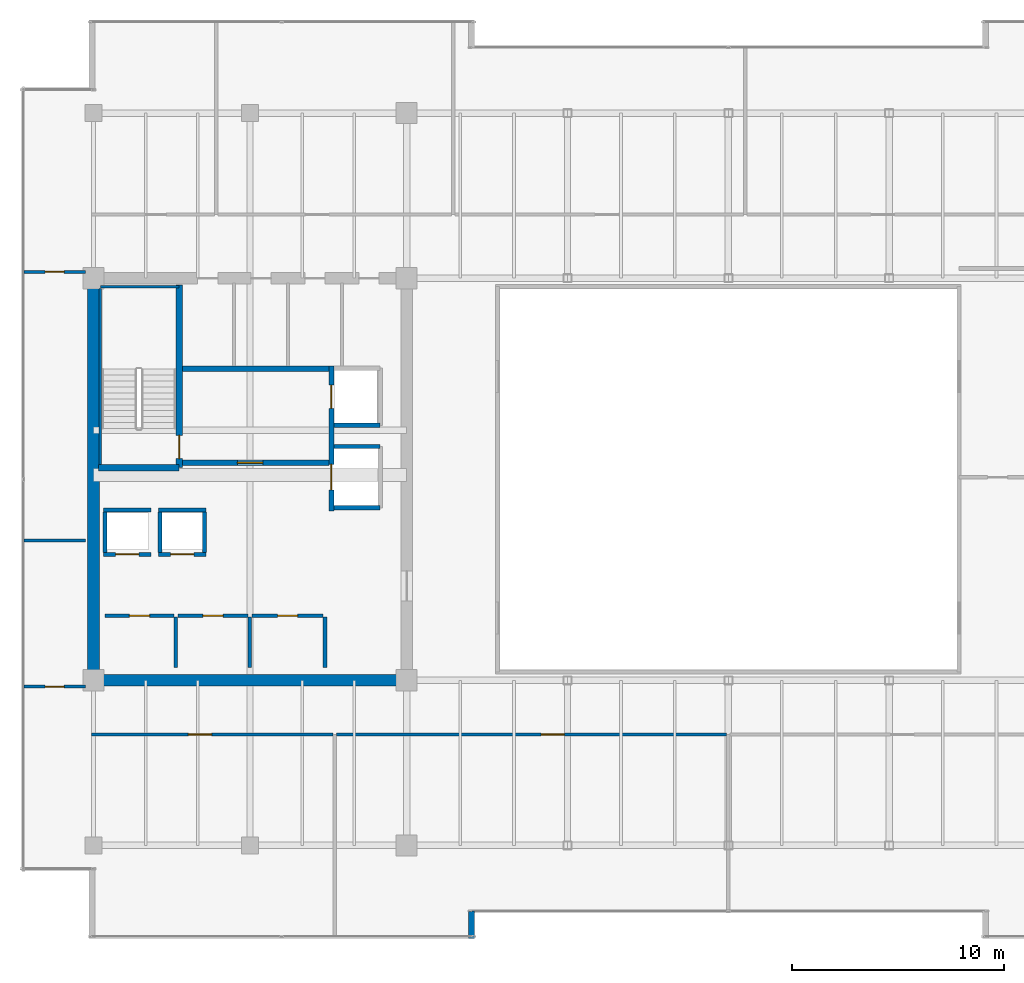
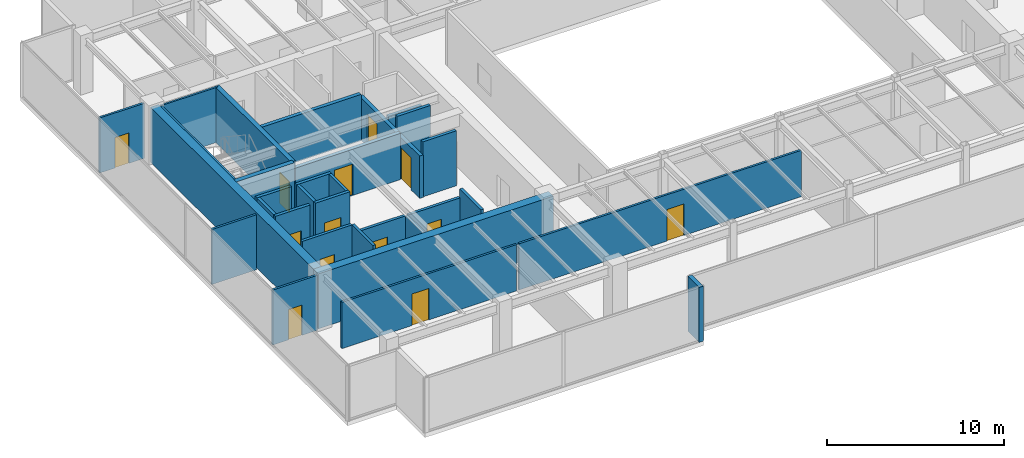
# One storey, part 28 of 33: 31 walls, 13 doors, 13 openings.
"""IFC4 building model written with IfcOpenShell, lengths in metres."""

from ifc_helpers import new_model, si_unit, direction, frame, frame_2d, origin, place, context, subcontext, project, spatial, rectangle, extrude, source, transform, mapped, material, layer, layer_set, type_object, type_shapes, element, fill, save


model = new_model("IFC4")

# Units and contexts
model_context = context("Model", 3, precision=1e-05, world=origin(), true_north=direction((0.0, 1.0)))
body_context = subcontext(model_context, "Body", "Model", "MODEL_VIEW")
ifc_project = project(units=[si_unit("LENGTHUNIT", "METRE"), si_unit("AREAUNIT", "SQUARE_METRE"), si_unit("VOLUMEUNIT", "CUBIC_METRE"), si_unit("PLANEANGLEUNIT", "RADIAN"), si_unit("MASSUNIT", "GRAM", prefix="KILO")], contexts=[model_context])

# Site, building, storey
site_placement = place(None, origin())
site = spatial("IfcSite", under=ifc_project, at=site_placement, CompositionType="ELEMENT")
building_placement = place(site_placement, origin())
building = spatial("IfcBuilding", under=site, at=building_placement, Name="Haelvirn Gate Laboratories", CompositionType="ELEMENT")
storey_placement = place(building_placement, frame((0.0, 0.0, 258.800048828125)))
storey = spatial("IfcBuildingStorey", under=building, at=storey_placement, Name="L62", CompositionType="ELEMENT", Elevation=258.800048828125)

# Wall
ifc_material_1 = material(Name="Thermally-broken bronze aluminium rainscreen & mineral wool", Category="aluminium")
ifc_layer_1 = layer(ifc_material_1, 0.280029296875, Name="EW-TERR-280")
ifc_layer_set_1 = layer_set([ifc_layer_1], Name="Thermally-broken bronze aluminium rainscreen & mineral wool")
wall_type_1 = type_object("IfcWallType", Name="EW-TERR-280", PredefinedType="STANDARD", material=ifc_layer_set_1)
wall_1_placement = place(storey_placement, frame((25.260009765625, 2.60009765625, 0.0), z_axis=(0.0, 0.0, 1.0), x_axis=(0.0, 1.0, 0.0)))
element("IfcWall", 1, at=wall_1_placement, inside=storey, type_object=wall_type_1, Name="L62 Atrium Recess Bronze Return Wall 01", PredefinedType="STANDARD", context=body_context, shape_type="SweptSolid", body=[
    extrude(rectangle(XDim=1.29296875, YDim=0.280029296875, at=frame_2d((0.646484375, 0.0))), origin(), (0.0, 0.0, 1.0), 3.800048828125),
])

# Wall, opening, door
ifc_material_2 = material(Name="Acoustic mineral-wool gypsum board partition", Category="gypsum")
ifc_layer_2 = layer(ifc_material_2, 0.139892578125, Name="IW-PART-140")
ifc_layer_set_2 = layer_set([ifc_layer_2], Name="Acoustic mineral-wool gypsum board partition")
wall_type_2 = type_object("IfcWallType", Name="IW-PART-140", PredefinedType="PARTITIONING", material=ifc_layer_set_2)
wall_2_placement = place(storey_placement, frame((7.31005859375, 12.239990234375, 0.0), z_axis=(0.0, 0.0, 1.0), x_axis=(1.0, 0.0, 0.0)))
wall_2 = element("IfcWall", 2, at=wall_2_placement, inside=storey, type_object=wall_type_2, Name="L62 Interior Wall IW-L62-SCORR-01", PredefinedType="PARTITIONING", context=body_context, shape_type="SweptSolid", body=[
    extrude(rectangle(XDim=11.409912109375, YDim=0.139892578125, at=frame_2d((5.705078125, 0.0))), origin(), (0.0, 0.0, 1.0), 3.197021484375),
])
opening_1_placement = place(wall_2_placement, frame((4.578369140625, 0.0, 0.0)))
opening_1 = element("IfcOpeningElement", 3, at=opening_1_placement, cuts=wall_2, Name="Opening D1", PredefinedType="OPENING", context=body_context, shape_type="SweptSolid", body=[
    extrude(rectangle(XDim=1.10009765625, YDim=2.179931640625, at=frame_2d((0.550048828125, 1.08984375))), frame((0.0, 0.080078125, 0.0), z_axis=(0.0, -1.0, 0.0), x_axis=(1.0, 0.0, 0.0)), (0.0, 0.0, 1.0), 0.159912109375),
])
ifc_material_3 = material(Name="Vision-panel acoustic solid-core timber lab door", Category="wood")
door_type_1 = type_object("IfcDoorType", Name="DR-LAB-1100", OperationType="NOTDEFINED", PredefinedType="DOOR", material=ifc_material_3)
shared_shape_1 = source(origin(), body_context, "Body", "SweptSolid", [
    extrude(rectangle(XDim=1.10009765625, YDim=2.179931640625, at=frame_2d((0.550048828125, 1.08984375))), frame((0.0, 0.02490234375, 0.0), z_axis=(0.0, -1.0, 0.0), x_axis=(1.0, 0.0, 0.0)), (0.0, 0.0, 1.0), 0.050048828125),
])
type_shapes(door_type_1, [shared_shape_1])
door_1_placement = place(opening_1_placement, origin())
door_1 = element("IfcDoor", 4, at=door_1_placement, inside=storey, type_object=door_type_1, Name="L62 Instrumentation Prototyping Workshop Door S1", OperationType="SINGLE_SWING_LEFT", OverallHeight=2.179931640625, OverallWidth=1.10009765625, PredefinedType="DOOR", context=body_context, shape_type="MappedRepresentation", body=[
    mapped(shared_shape_1, transform((0.0, 0.0, 0.0), scale=1.0)),
])
fill(opening_1, door_1)

wall_3_placement = place(storey_placement, frame((18.8798828125, 12.239990234375, 0.0), z_axis=(0.0, 0.0, 1.0), x_axis=(1.0, 0.0, 0.0)))
wall_3 = element("IfcWall", 5, at=wall_3_placement, inside=storey, type_object=wall_type_2, Name="L62 Interior Wall IW-L62-SCORR-02", PredefinedType="PARTITIONING", context=body_context, shape_type="SweptSolid", body=[
    extrude(rectangle(XDim=18.440185546875, YDim=0.139892578125, at=frame_2d((9.22021484375, 0.0))), origin(), (0.0, 0.0, 1.0), 3.197021484375),
])
opening_2_placement = place(wall_3_placement, frame((9.66845703125, 0.0, 0.0)))
opening_2 = element("IfcOpeningElement", 6, at=opening_2_placement, cuts=wall_3, Name="Opening D1", PredefinedType="OPENING", context=body_context, shape_type="SweptSolid", body=[
    extrude(rectangle(XDim=1.10009765625, YDim=2.179931640625, at=frame_2d((0.550048828125, 1.08984375))), frame((0.0, 0.080078125, 0.0), z_axis=(0.0, -1.0, 0.0), x_axis=(1.0, 0.0, 0.0)), (0.0, 0.0, 1.0), 0.159912109375),
])
door_2_placement = place(opening_2_placement, origin())
door_2 = element("IfcDoor", 7, at=door_2_placement, inside=storey, type_object=door_type_1, Name="L62 Scientific Reference Library Door S2", OperationType="SINGLE_SWING_RIGHT", OverallHeight=2.179931640625, OverallWidth=1.10009765625, PredefinedType="DOOR", context=body_context, shape_type="MappedRepresentation", body=[
    mapped(shared_shape_1, transform((0.0, 0.0, 0.0), scale=1.0)),
])
fill(opening_2, door_2)

# Wall
wall_4_placement = place(storey_placement, frame((4.110107421875, 21.39990234375, 0.0), z_axis=(0.0, 0.0, 1.0), x_axis=(1.0, 0.0, 0.0)))
element("IfcWall", 8, at=wall_4_placement, inside=storey, type_object=wall_type_2, Name="L62 Interior Wall IW-L62-WZ3-MID", PredefinedType="PARTITIONING", context=body_context, shape_type="SweptSolid", body=[
    extrude(rectangle(XDim=2.909912109375, YDim=0.139892578125, at=frame_2d((1.455078125, 0.0))), origin(), (0.0, 0.0, 1.0), 3.800048828125),
])

# Wall, opening, door
wall_5_placement = place(storey_placement, frame((4.110107421875, 14.5048828125, 0.0), z_axis=(0.0, 0.0, 1.0), x_axis=(1.0, 0.0, 0.0)))
wall_5 = element("IfcWall", 9, at=wall_5_placement, inside=storey, type_object=wall_type_2, Name="L62 Interior Wall IW-L62-WZ3-ENT-S", PredefinedType="PARTITIONING", context=body_context, shape_type="SweptSolid", body=[
    extrude(rectangle(XDim=2.909912109375, YDim=0.139892578125, at=frame_2d((1.455078125, 0.0))), origin(), (0.0, 0.0, 1.0), 3.800048828125),
])
opening_3_placement = place(wall_5_placement, frame((1.0048828125, 0.0, 0.0)))
opening_3 = element("IfcOpeningElement", 10, at=opening_3_placement, cuts=wall_5, Name="Opening D4", PredefinedType="OPENING", context=body_context, shape_type="SweptSolid", body=[
    extrude(rectangle(XDim=0.89990234375, YDim=2.10009765625, at=frame_2d((0.449951171875, 1.050048828125))), frame((0.0, 0.080078125, 0.0), z_axis=(0.0, -1.0, 0.0), x_axis=(1.0, 0.0, 0.0)), (0.0, 0.0, 1.0), 0.159912109375),
])
ifc_material_4 = material(Name="Glazed aluminium-framed write-up door", Category="aluminium")
door_type_2 = type_object("IfcDoorType", Name="DR-OFF-900", OperationType="NOTDEFINED", PredefinedType="DOOR", material=ifc_material_4)
shared_shape_2 = source(origin(), body_context, "Body", "SweptSolid", [
    extrude(rectangle(XDim=0.89990234375, YDim=2.10009765625, at=frame_2d((0.449951171875, 1.050048828125))), frame((0.0, 0.02490234375, 0.0), z_axis=(0.0, -1.0, 0.0), x_axis=(1.0, 0.0, 0.0)), (0.0, 0.0, 1.0), 0.050048828125),
])
type_shapes(door_type_2, [shared_shape_2])
door_3_placement = place(opening_3_placement, origin())
door_3 = element("IfcDoor", 11, at=door_3_placement, inside=storey, type_object=door_type_2, Name="L62 Floor Hydration & Tea Servery Door W-S", OperationType="SINGLE_SWING_LEFT", OverallHeight=2.10009765625, OverallWidth=0.89990234375, PredefinedType="DOOR", context=body_context, shape_type="MappedRepresentation", body=[
    mapped(shared_shape_2, transform((0.0, 0.0, 0.0), scale=1.0)),
])
fill(opening_3, door_3)

wall_6_placement = place(storey_placement, frame((4.110107421875, 34.094970703125, 0.0), z_axis=(0.0, 0.0, 1.0), x_axis=(1.0, 0.0, 0.0)))
wall_6 = element("IfcWall", 12, at=wall_6_placement, inside=storey, type_object=wall_type_2, Name="L62 Interior Wall IW-L62-WZ3-ENT-N", PredefinedType="PARTITIONING", context=body_context, shape_type="SweptSolid", body=[
    extrude(rectangle(XDim=2.909912109375, YDim=0.139892578125, at=frame_2d((1.455078125, 0.0))), origin(), (0.0, 0.0, 1.0), 3.800048828125),
])
opening_4_placement = place(wall_6_placement, frame((1.0048828125, 0.0, 0.0)))
opening_4 = element("IfcOpeningElement", 13, at=opening_4_placement, cuts=wall_6, Name="Opening D4", PredefinedType="OPENING", context=body_context, shape_type="SweptSolid", body=[
    extrude(rectangle(XDim=0.89990234375, YDim=2.10009765625, at=frame_2d((0.449951171875, 1.050048828125))), frame((0.0, 0.080078125, 0.0), z_axis=(0.0, -1.0, 0.0), x_axis=(1.0, 0.0, 0.0)), (0.0, 0.0, 1.0), 0.159912109375),
])
door_4_placement = place(opening_4_placement, origin())
door_4 = element("IfcDoor", 14, at=door_4_placement, inside=storey, type_object=door_type_2, Name="L62 Bioprocess Foundry Laboratory Door W-N", OperationType="SINGLE_SWING_RIGHT", OverallHeight=2.10009765625, OverallWidth=0.89990234375, PredefinedType="DOOR", context=body_context, shape_type="MappedRepresentation", body=[
    mapped(shared_shape_2, transform((0.0, 0.0, 0.0), scale=1.0)),
])
fill(opening_4, door_4)

# Walls
ifc_material_5 = material(Name="Concrete C40/50", Category="concrete")
ifc_layer_3 = layer(ifc_material_5, 0.179931640625, Name="IW-SHAFT-180")
ifc_layer_set_3 = layer_set([ifc_layer_3], Name="Concrete C40/50")
wall_type_3 = type_object("IfcWallType", Name="IW-SHAFT-180", PredefinedType="SOLIDWALL", material=ifc_layer_set_3)
for number, where, z_axis, x_axis, name in (
    (15, (7.949951171875, 20.85009765625, 0.0), (0.0, 0.0, 1.0), (0.0, 1.0, 0.0), "L62 Interior Wall IW-L62-PL9-SD"),
    (16, (10.550048828125, 20.85009765625, 0.0), (0.0, 0.0, 1.0), (0.0, 1.0, 0.0), "L62 Interior Wall IW-L62-PL10-SD"),
    (17, (12.64990234375, 20.85009765625, 0.0), (0.0, 0.0, 1.0), (0.0, 1.0, 0.0), "L62 Interior Wall IW-L62-PL10-SDE"),
):
    element("IfcWall", number, at=place(storey_placement, frame(where, z_axis=z_axis, x_axis=x_axis)), inside=storey, type_object=wall_type_3, Name=name, PredefinedType="SOLIDWALL", context=body_context, shape_type="SweptSolid", body=[
        extrude(rectangle(XDim=1.89990234375, YDim=0.179931640625, at=frame_2d((0.949951171875, 0.0))), origin(), (0.0, 0.0, 1.0), 3.800048828125),
    ])

# Wall, opening, door
wall_7_placement = place(storey_placement, frame((7.949951171875, 17.85009765625, 0.0), z_axis=(0.0, 0.0, 1.0), x_axis=(1.0, 0.0, 0.0)))
wall_7 = element("IfcWall", 18, at=wall_7_placement, inside=storey, type_object=wall_type_3, Name="L62 Interior Wall IW-L62-W-FREED-HN-1", PredefinedType="SOLIDWALL", context=body_context, shape_type="SweptSolid", body=[
    extrude(rectangle(XDim=3.25, YDim=0.179931640625, at=frame_2d((1.625, 0.0))), origin(), (0.0, 0.0, 1.0), 3.800048828125),
])
opening_5_placement = place(wall_7_placement, frame((1.14990234375, 0.0, 0.0)))
opening_5 = element("IfcOpeningElement", 19, at=opening_5_placement, cuts=wall_7, Name="Opening FD4", PredefinedType="OPENING", context=body_context, shape_type="SweptSolid", body=[
    extrude(rectangle(XDim=0.949951171875, YDim=2.14990234375, at=frame_2d((0.47509765625, 1.074951171875))), frame((0.0, 0.10009765625, 0.0), z_axis=(0.0, -1.0, 0.0), x_axis=(1.0, 0.0, 0.0)), (0.0, 0.0, 1.0), 0.199951171875),
])
ifc_material_6 = material(Name="Fire-rated steel SM355 core service door", Category="steel")
door_type_3 = type_object("IfcDoorType", Name="DR-FD-950", OperationType="NOTDEFINED", PredefinedType="DOOR", material=ifc_material_6)
shared_shape_3 = source(origin(), body_context, "Body", "SweptSolid", [
    extrude(rectangle(XDim=0.949951171875, YDim=2.14990234375, at=frame_2d((0.47509765625, 1.074951171875))), frame((0.0, 0.02490234375, 0.0), z_axis=(0.0, -1.0, 0.0), x_axis=(1.0, 0.0, 0.0)), (0.0, 0.0, 1.0), 0.050048828125),
])
type_shapes(door_type_3, [shared_shape_3])
door_5_placement = place(opening_5_placement, origin())
door_5 = element("IfcDoor", 20, at=door_5_placement, inside=storey, type_object=door_type_3, Name="L62 Autoclave Bio-Prep Room Door", OperationType="SINGLE_SWING_LEFT", OverallHeight=2.14990234375, OverallWidth=0.949951171875, PredefinedType="DOOR", context=body_context, shape_type="MappedRepresentation", body=[
    mapped(shared_shape_3, transform((0.0, 0.0, 0.0), scale=1.0)),
])
fill(opening_5, door_5)

# Wall
wall_8_placement = place(storey_placement, frame((11.2900390625, 15.39990234375, 0.0), z_axis=(0.0, 0.0, 1.0), x_axis=(0.0, 1.0, 0.0)))
element("IfcWall", 21, at=wall_8_placement, inside=storey, type_object=wall_type_3, Name="L62 Interior Wall IW-L62-W-FREED-HE-1", PredefinedType="SOLIDWALL", context=body_context, shape_type="SweptSolid", body=[
    extrude(rectangle(XDim=2.400146484375, YDim=0.179931640625, at=frame_2d((1.2001953125, 0.0))), origin(), (0.0, 0.0, 1.0), 3.800048828125),
])

# Wall, opening, door
wall_9_placement = place(storey_placement, frame((11.39990234375, 17.85009765625, 0.0), z_axis=(0.0, 0.0, 1.0), x_axis=(1.0, 0.0, 0.0)))
wall_9 = element("IfcWall", 22, at=wall_9_placement, inside=storey, type_object=wall_type_3, Name="L62 Interior Wall IW-L62-W-FREED-HN-2", PredefinedType="SOLIDWALL", context=body_context, shape_type="SweptSolid", body=[
    extrude(rectangle(XDim=3.300048828125, YDim=0.179931640625, at=frame_2d((1.64990234375, 0.0))), origin(), (0.0, 0.0, 1.0), 3.197021484375),
])
opening_6_placement = place(wall_9_placement, frame((1.175048828125, 0.0, 0.0)))
opening_6 = element("IfcOpeningElement", 23, at=opening_6_placement, cuts=wall_9, Name="Opening FD4", PredefinedType="OPENING", context=body_context, shape_type="SweptSolid", body=[
    extrude(rectangle(XDim=0.949951171875, YDim=2.14990234375, at=frame_2d((0.47509765625, 1.074951171875))), frame((0.0, 0.10009765625, 0.0), z_axis=(0.0, -1.0, 0.0), x_axis=(1.0, 0.0, 0.0)), (0.0, 0.0, 1.0), 0.199951171875),
])
door_6_placement = place(opening_6_placement, origin())
door_6 = element("IfcDoor", 24, at=door_6_placement, inside=storey, type_object=door_type_3, Name="L62 Telemetry Analytics Room Door", OperationType="SINGLE_SWING_RIGHT", OverallHeight=2.14990234375, OverallWidth=0.949951171875, PredefinedType="DOOR", context=body_context, shape_type="MappedRepresentation", body=[
    mapped(shared_shape_3, transform((0.0, 0.0, 0.0), scale=1.0)),
])
fill(opening_6, door_6)

# Wall
wall_10_placement = place(storey_placement, frame((14.7900390625, 15.39990234375, 0.0), z_axis=(0.0, 0.0, 1.0), x_axis=(0.0, 1.0, 0.0)))
element("IfcWall", 25, at=wall_10_placement, inside=storey, type_object=wall_type_3, Name="L62 Interior Wall IW-L62-W-FREED-HE-2", PredefinedType="SOLIDWALL", context=body_context, shape_type="SweptSolid", body=[
    extrude(rectangle(XDim=2.400146484375, YDim=0.179931640625, at=frame_2d((1.2001953125, 0.0))), origin(), (0.0, 0.0, 1.0), 3.197021484375),
])

# Wall, opening, door
wall_11_placement = place(storey_placement, frame((14.89990234375, 17.85009765625, 0.0), z_axis=(0.0, 0.0, 1.0), x_axis=(1.0, 0.0, 0.0)))
wall_11 = element("IfcWall", 26, at=wall_11_placement, inside=storey, type_object=wall_type_3, Name="L62 Interior Wall IW-L62-W-FREED-HN-3", PredefinedType="SOLIDWALL", context=body_context, shape_type="SweptSolid", body=[
    extrude(rectangle(XDim=3.35009765625, YDim=0.179931640625, at=frame_2d((1.675048828125, 0.0))), origin(), (0.0, 0.0, 1.0), 3.197021484375),
])
opening_7_placement = place(wall_11_placement, frame((1.199951171875, 0.0, 0.0)))
opening_7 = element("IfcOpeningElement", 27, at=opening_7_placement, cuts=wall_11, Name="Opening FD4", PredefinedType="OPENING", context=body_context, shape_type="SweptSolid", body=[
    extrude(rectangle(XDim=0.949951171875, YDim=2.14990234375, at=frame_2d((0.47509765625, 1.074951171875))), frame((0.0, 0.10009765625, 0.0), z_axis=(0.0, -1.0, 0.0), x_axis=(1.0, 0.0, 0.0)), (0.0, 0.0, 1.0), 0.199951171875),
])
door_7_placement = place(opening_7_placement, origin())
door_7 = element("IfcDoor", 28, at=door_7_placement, inside=storey, type_object=door_type_3, Name="L62 Calibration Metrology Room Door", OperationType="SINGLE_SWING_LEFT", OverallHeight=2.14990234375, OverallWidth=0.949951171875, PredefinedType="DOOR", context=body_context, shape_type="MappedRepresentation", body=[
    mapped(shared_shape_3, transform((0.0, 0.0, 0.0), scale=1.0)),
])
fill(opening_7, door_7)

# Wall
wall_12_placement = place(storey_placement, frame((18.340087890625, 15.39990234375, 0.0), z_axis=(0.0, 0.0, 1.0), x_axis=(0.0, 1.0, 0.0)))
element("IfcWall", 29, at=wall_12_placement, inside=storey, type_object=wall_type_3, Name="L62 Interior Wall IW-L62-W-FREED-HE-3", PredefinedType="SOLIDWALL", context=body_context, shape_type="SweptSolid", body=[
    extrude(rectangle(XDim=2.400146484375, YDim=0.179931640625, at=frame_2d((1.2001953125, 0.0))), origin(), (0.0, 0.0, 1.0), 3.800048828125),
])

# Wall, opening, door
ifc_layer_4 = layer(ifc_material_5, 0.199951171875, Name="IW-SHAFT-200")
ifc_layer_set_4 = layer_set([ifc_layer_4], Name="Concrete C40/50")
wall_type_4 = type_object("IfcWallType", Name="IW-SHAFT-200", PredefinedType="SOLIDWALL", material=ifc_layer_set_4)
wall_13_placement = place(storey_placement, frame((7.8701171875, 20.75, 0.0), z_axis=(0.0, 0.0, 1.0), x_axis=(1.0, 0.0, 0.0)))
wall_13 = element("IfcWall", 30, at=wall_13_placement, inside=storey, type_object=wall_type_4, Name="L62 Interior Wall IW-L62-PL9-FR", PredefinedType="SOLIDWALL", context=body_context, shape_type="SweptSolid", body=[
    extrude(rectangle(XDim=2.259765625, YDim=0.199951171875, at=frame_2d((1.1298828125, 0.0))), origin(), (0.0, 0.0, 1.0), 3.800048828125),
])
opening_8_placement = place(wall_13_placement, frame((0.580078125, 0.0, 0.0)))
opening_8 = element("IfcOpeningElement", 31, at=opening_8_placement, cuts=wall_13, Name="Opening LD2", PredefinedType="OPENING", context=body_context, shape_type="SweptSolid", body=[
    extrude(rectangle(XDim=1.10009765625, YDim=2.219970703125, at=frame_2d((0.550048828125, 1.10986328125))), frame((0.0, 0.10986328125, 0.0), z_axis=(0.0, -1.0, 0.0), x_axis=(1.0, 0.0, 0.0)), (0.0, 0.0, 1.0), 0.219970703125),
])
ifc_material_7 = material(Name="Bronze stainless 316L sliding lift landing door")
door_type_4 = type_object("IfcDoorType", Name="DR-LD-1100", OperationType="NOTDEFINED", PredefinedType="USERDEFINED", material=ifc_material_7)
shared_shape_4 = source(origin(), body_context, "Body", "SweptSolid", [
    extrude(rectangle(XDim=1.10009765625, YDim=2.219970703125, at=frame_2d((0.550048828125, 1.10986328125))), frame((0.0, 0.02490234375, 0.0), z_axis=(0.0, -1.0, 0.0), x_axis=(1.0, 0.0, 0.0)), (0.0, 0.0, 1.0), 0.050048828125),
])
type_shapes(door_type_4, [shared_shape_4])
door_8_placement = place(opening_8_placement, origin())
door_8 = element("IfcDoor", 32, at=door_8_placement, inside=storey, type_object=door_type_4, Name="L62 Passenger Lift PL9 Landing Door", ObjectType="LANDING_DOOR", OperationType="SLIDING_TO_LEFT", OverallHeight=2.219970703125, OverallWidth=1.10009765625, PredefinedType="USERDEFINED", context=body_context, shape_type="MappedRepresentation", body=[
    mapped(shared_shape_4, transform((0.0, 0.0, 0.0), scale=1.0)),
])
fill(opening_8, door_8)

# Wall
wall_14_placement = place(storey_placement, frame((7.8701171875, 22.85009765625, 0.0), z_axis=(0.0, 0.0, 1.0), x_axis=(1.0, 0.0, 0.0)))
element("IfcWall", 33, at=wall_14_placement, inside=storey, type_object=wall_type_4, Name="L62 Interior Wall IW-L62-PL9-BK", PredefinedType="SOLIDWALL", context=body_context, shape_type="SweptSolid", body=[
    extrude(rectangle(XDim=2.259765625, YDim=0.199951171875, at=frame_2d((1.1298828125, 0.0))), origin(), (0.0, 0.0, 1.0), 3.800048828125),
])

# Wall, opening, door
wall_15_placement = place(storey_placement, frame((10.469970703125, 20.75, 0.0), z_axis=(0.0, 0.0, 1.0), x_axis=(1.0, 0.0, 0.0)))
wall_15 = element("IfcWall", 34, at=wall_15_placement, inside=storey, type_object=wall_type_4, Name="L62 Interior Wall IW-L62-PL10-FR", PredefinedType="SOLIDWALL", context=body_context, shape_type="SweptSolid", body=[
    extrude(rectangle(XDim=2.260009765625, YDim=0.199951171875, at=frame_2d((1.1298828125, 0.0))), origin(), (0.0, 0.0, 1.0), 3.800048828125),
])
opening_9_placement = place(wall_15_placement, frame((0.580078125, 0.0, 0.0)))
opening_9 = element("IfcOpeningElement", 35, at=opening_9_placement, cuts=wall_15, Name="Opening LD2", PredefinedType="OPENING", context=body_context, shape_type="SweptSolid", body=[
    extrude(rectangle(XDim=1.10009765625, YDim=2.219970703125, at=frame_2d((0.550048828125, 1.10986328125))), frame((0.0, 0.10986328125, 0.0), z_axis=(0.0, -1.0, 0.0), x_axis=(1.0, 0.0, 0.0)), (0.0, 0.0, 1.0), 0.219970703125),
])
door_9_placement = place(opening_9_placement, origin())
door_9 = element("IfcDoor", 36, at=door_9_placement, inside=storey, type_object=door_type_4, Name="L62 Passenger Lift PL10 Landing Door", ObjectType="LANDING_DOOR", OperationType="SLIDING_TO_RIGHT", OverallHeight=2.219970703125, OverallWidth=1.10009765625, PredefinedType="USERDEFINED", context=body_context, shape_type="MappedRepresentation", body=[
    mapped(shared_shape_4, transform((0.0, 0.0, 0.0), scale=1.0)),
])
fill(opening_9, door_9)

# Walls
wall_16_placement = place(storey_placement, frame((10.469970703125, 22.85009765625, 0.0), z_axis=(0.0, 0.0, 1.0), x_axis=(1.0, 0.0, 0.0)))
element("IfcWall", 37, at=wall_16_placement, inside=storey, type_object=wall_type_4, Name="L62 Interior Wall IW-L62-PL10-BK", PredefinedType="SOLIDWALL", context=body_context, shape_type="SweptSolid", body=[
    extrude(rectangle(XDim=2.260009765625, YDim=0.199951171875, at=frame_2d((1.1298828125, 0.0))), origin(), (0.0, 0.0, 1.0), 3.800048828125),
])
wall_17_placement = place(storey_placement, frame((18.760009765625, 26.85009765625, 0.0), z_axis=(0.0, 0.0, 1.0), x_axis=(1.0, 0.0, 0.0)))
element("IfcWall", 38, at=wall_17_placement, inside=storey, type_object=wall_type_4, Name="L62 Interior Wall IW-L62-FL1-S", PredefinedType="SOLIDWALL", context=body_context, shape_type="SweptSolid", body=[
    extrude(rectangle(XDim=2.18994140625, YDim=0.199951171875, at=frame_2d((1.094970703125, 0.0))), origin(), (0.0, 0.0, 1.0), 3.197021484375),
])
for number, where, z_axis, x_axis, name in (
    (39, (18.760009765625, 25.85009765625, 0.0), (0.0, 0.0, 1.0), (1.0, 0.0, 0.0), "L62 Interior Wall IW-L62-SL1-N"),
    (40, (18.760009765625, 22.949951171875, 0.0), (0.0, 0.0, 1.0), (1.0, 0.0, 0.0), "L62 Interior Wall IW-L62-SL1-S"),
):
    element("IfcWall", number, at=place(storey_placement, frame(where, z_axis=z_axis, x_axis=x_axis)), inside=storey, type_object=wall_type_4, Name=name, PredefinedType="SOLIDWALL", context=body_context, shape_type="SweptSolid", body=[
        extrude(rectangle(XDim=2.18994140625, YDim=0.199951171875, at=frame_2d((1.094970703125, 0.0))), origin(), (0.0, 0.0, 1.0), 3.800048828125),
    ])

# Wall, opening, door
ifc_layer_5 = layer(ifc_material_5, 0.239990234375, Name="IW-SHAFT-240")
ifc_layer_set_5 = layer_set([ifc_layer_5], Name="Concrete C40/50")
wall_type_5 = type_object("IfcWallType", Name="IW-SHAFT-240", PredefinedType="SOLIDWALL", material=ifc_layer_set_5)
wall_18_placement = place(storey_placement, frame((11.60009765625, 25.080078125, 0.0), z_axis=(0.0, 0.0, 1.0), x_axis=(1.0, 0.0, 0.0)))
wall_18 = element("IfcWall", 41, at=wall_18_placement, inside=storey, type_object=wall_type_5, Name="L62 Interior Wall IW-L62-W-FF-S", PredefinedType="SOLIDWALL", context=body_context, shape_type="SweptSolid", body=[
    extrude(rectangle(XDim=6.919921875, YDim=0.239990234375, at=frame_2d((3.4599609375, 0.0))), origin(), (0.0, 0.0, 1.0), 3.197021484375),
])
opening_10_placement = place(wall_18_placement, frame((2.60009765625, 0.0, 0.0)))
opening_10 = element("IfcOpeningElement", 42, at=opening_10_placement, cuts=wall_18, Name="Opening FD2", PredefinedType="OPENING", context=body_context, shape_type="SweptSolid", body=[
    extrude(rectangle(XDim=1.199951171875, YDim=2.159912109375, at=frame_2d((0.60009765625, 1.080078125))), frame((0.0, 0.1298828125, 0.0), z_axis=(0.0, -1.0, 0.0), x_axis=(1.0, 0.0, 0.0)), (0.0, 0.0, 1.0), 0.260009765625),
])
ifc_material_8 = material(Name="Fire-rated steel SM355 compartment door", Category="steel")
door_type_5 = type_object("IfcDoorType", Name="DR-FD-1200", OperationType="NOTDEFINED", PredefinedType="DOOR", material=ifc_material_8)
shared_shape_5 = source(origin(), body_context, "Body", "SweptSolid", [
    extrude(rectangle(XDim=1.199951171875, YDim=2.159912109375, at=frame_2d((0.60009765625, 1.080078125))), frame((0.0, 0.02490234375, 0.0), z_axis=(0.0, -1.0, 0.0), x_axis=(1.0, 0.0, 0.0)), (0.0, 0.0, 1.0), 0.050048828125),
])
type_shapes(door_type_5, [shared_shape_5])
door_10_placement = place(opening_10_placement, origin())
door_10 = element("IfcDoor", 43, at=door_10_placement, inside=storey, type_object=door_type_5, Name="L62 West Firefighting Lobby Door", OperationType="SINGLE_SWING_RIGHT", OverallHeight=2.159912109375, OverallWidth=1.199951171875, PredefinedType="DOOR", context=body_context, shape_type="MappedRepresentation", body=[
    mapped(shared_shape_5, transform((0.0, 0.0, 0.0), scale=1.0)),
])
fill(opening_10, door_10)

# Wall
wall_19_placement = place(storey_placement, frame((11.60009765625, 29.52001953125, 0.0), z_axis=(0.0, 0.0, 1.0), x_axis=(1.0, 0.0, 0.0)))
element("IfcWall", 44, at=wall_19_placement, inside=storey, type_object=wall_type_5, Name="L62 Interior Wall IW-L62-W-FF-N", PredefinedType="SOLIDWALL", context=body_context, shape_type="SweptSolid", body=[
    extrude(rectangle(XDim=6.919921875, YDim=0.239990234375, at=frame_2d((3.4599609375, 0.0))), origin(), (0.0, 0.0, 1.0), 3.197021484375),
])

# Wall, openings, doors
wall_20_placement = place(storey_placement, frame((18.639892578125, 22.800048828125, 0.0), z_axis=(0.0, 0.0, 1.0), x_axis=(0.0, 1.0, 0.0)))
wall_20 = element("IfcWall", 45, at=wall_20_placement, inside=storey, type_object=wall_type_5, Name="L62 Interior Wall IW-L62-W-FF-E", PredefinedType="SOLIDWALL", context=body_context, shape_type="SweptSolid", body=[
    extrude(rectangle(XDim=6.849853515625, YDim=0.239990234375, at=frame_2d((3.4248046875, 0.0))), origin(), (0.0, 0.0, 1.0), 2.93505859375),
])
opening_11_placement = place(wall_20_placement, frame((4.85009765625, 0.0, 0.0)))
opening_11 = element("IfcOpeningElement", 46, at=opening_11_placement, cuts=wall_20, Name="Opening LD2", PredefinedType="OPENING", context=body_context, shape_type="SweptSolid", body=[
    extrude(rectangle(XDim=1.10009765625, YDim=2.219970703125, at=frame_2d((0.550048828125, 1.10986328125))), frame((0.0, 0.1298828125, 0.0), z_axis=(0.0, -1.0, 0.0), x_axis=(1.0, 0.0, 0.0)), (0.0, 0.0, 1.0), 0.260009765625),
])
opening_12_placement = place(wall_20_placement, frame((1.0, 0.0, 0.0)))
opening_12 = element("IfcOpeningElement", 47, at=opening_12_placement, cuts=wall_20, Name="Opening LD1", PredefinedType="OPENING", context=body_context, shape_type="SweptSolid", body=[
    extrude(rectangle(XDim=1.199951171875, YDim=2.219970703125, at=frame_2d((0.60009765625, 1.10986328125))), frame((0.0, 0.1298828125, 0.0), z_axis=(0.0, -1.0, 0.0), x_axis=(1.0, 0.0, 0.0)), (0.0, 0.0, 1.0), 0.260009765625),
])
door_11_placement = place(opening_11_placement, origin())
door_11 = element("IfcDoor", 48, at=door_11_placement, inside=storey, type_object=door_type_4, Name="L62 Firefighting Lift FL1 Landing Door", ObjectType="LANDING_DOOR", OperationType="SLIDING_TO_LEFT", OverallHeight=2.219970703125, OverallWidth=1.10009765625, PredefinedType="USERDEFINED", context=body_context, shape_type="MappedRepresentation", body=[
    mapped(shared_shape_4, transform((0.0, 0.0, 0.0), scale=1.0)),
])
fill(opening_11, door_11)
ifc_material_9 = material(Name="Stainless steel 316L sliding goods landing door", Category="steel")
door_type_6 = type_object("IfcDoorType", Name="DR-LD-1200", OperationType="NOTDEFINED", PredefinedType="USERDEFINED", material=ifc_material_9)
shared_shape_6 = source(origin(), body_context, "Body", "SweptSolid", [
    extrude(rectangle(XDim=1.199951171875, YDim=2.219970703125, at=frame_2d((0.60009765625, 1.10986328125))), frame((0.0, 0.02490234375, 0.0), z_axis=(0.0, -1.0, 0.0), x_axis=(1.0, 0.0, 0.0)), (0.0, 0.0, 1.0), 0.050048828125),
])
type_shapes(door_type_6, [shared_shape_6])
door_12_placement = place(opening_12_placement, origin())
door_12 = element("IfcDoor", 49, at=door_12_placement, inside=storey, type_object=door_type_6, Name="L62 Service Lift SL1 Landing Door", ObjectType="LANDING_DOOR", OperationType="SLIDING_TO_RIGHT", OverallHeight=2.219970703125, OverallWidth=1.199951171875, PredefinedType="USERDEFINED", context=body_context, shape_type="MappedRepresentation", body=[
    mapped(shared_shape_6, transform((0.0, 0.0, 0.0), scale=1.0)),
])
fill(opening_12, door_12)

# Walls
ifc_material_10 = material(Name="Concrete C50/60", Category="concrete")
ifc_layer_6 = layer(ifc_material_10, 0.550048828125, Name="SW-CORE-550")
ifc_layer_set_6 = layer_set([ifc_layer_6], Name="Concrete C50/60")
wall_type_6 = type_object("IfcWallType", Name="SW-CORE-550", PredefinedType="SHEAR", material=ifc_layer_set_6)
wall_21_placement = place(storey_placement, frame((7.125, 14.800048828125, 0.0), z_axis=(0.0, 0.0, 1.0), x_axis=(1.0, 0.0, 0.0)))
element("IfcWall", 50, at=wall_21_placement, inside=storey, type_object=wall_type_6, Name="L62 W Core Shear Wall S", PredefinedType="SHEAR", context=body_context, shape_type="SweptSolid", body=[
    extrude(rectangle(XDim=15.35009765625, YDim=0.550048828125, at=frame_2d((7.675048828125, 0.0))), origin(), (0.0, 0.0, 1.0), 3.800048828125),
])
wall_22_placement = place(storey_placement, frame((7.39990234375, 15.074951171875, 0.0), z_axis=(0.0, 0.0, 1.0), x_axis=(0.0, 1.0, 0.0)))
element("IfcWall", 51, at=wall_22_placement, inside=storey, type_object=wall_type_6, Name="L62 W Core Shear Wall W", PredefinedType="SHEAR", context=body_context, shape_type="SweptSolid", body=[
    extrude(rectangle(XDim=18.449951171875, YDim=0.550048828125, at=frame_2d((9.22509765625, 0.0))), origin(), (0.0, 0.0, 1.0), 3.800048828125),
])
ifc_layer_7 = layer(ifc_material_10, 0.1201171875, Name="SW-LINER-120")
ifc_layer_set_7 = layer_set([ifc_layer_7], Name="Concrete C50/60")
wall_type_7 = type_object("IfcWallType", Name="SW-LINER-120", PredefinedType="SOLIDWALL", material=ifc_layer_set_7)
wall_23_placement = place(storey_placement, frame((7.72998046875, 33.39990234375, 0.0), z_axis=(0.0, 0.0, 1.0), x_axis=(1.0, 0.0, 0.0)))
element("IfcWall", 52, at=wall_23_placement, inside=storey, type_object=wall_type_7, Name="L62 W Core Stair Shaft Liner Wall N", PredefinedType="SOLIDWALL", context=body_context, shape_type="SweptSolid", body=[
    extrude(rectangle(XDim=3.719970703125, YDim=0.1201171875, at=frame_2d((1.85986328125, 0.0))), origin(), (0.0, 0.0, 1.0), 3.800048828125),
])
wall_24_placement = place(storey_placement, frame((7.72998046875, 25.0, 0.0), z_axis=(0.0, 0.0, 1.0), x_axis=(0.0, 1.0, 0.0)))
element("IfcWall", 53, at=wall_24_placement, inside=storey, type_object=wall_type_7, Name="L62 W Core Stair Shaft Liner Wall OUT", PredefinedType="SOLIDWALL", context=body_context, shape_type="SweptSolid", body=[
    extrude(rectangle(XDim=8.320068359375, YDim=0.1201171875, at=frame_2d((4.16015625, 0.0))), origin(), (0.0, 0.0, 1.0), 3.800048828125),
])

# Wall, opening, door
ifc_layer_8 = layer(ifc_material_10, 0.300048828125, Name="SW-STAIR-300")
ifc_layer_set_8 = layer_set([ifc_layer_8], Name="Concrete C50/60")
wall_type_8 = type_object("IfcWallType", Name="SW-STAIR-300", PredefinedType="SHEAR", material=ifc_layer_set_8)
wall_25_placement = place(storey_placement, frame((11.449951171875, 24.85009765625, 0.0), z_axis=(0.0, 0.0, 1.0), x_axis=(0.0, 1.0, 0.0)))
wall_25 = element("IfcWall", 54, at=wall_25_placement, inside=storey, type_object=wall_type_8, Name="L62 W Core Stair Shaft Structural Wall IN", PredefinedType="SHEAR", context=body_context, shape_type="SweptSolid", body=[
    extrude(rectangle(XDim=8.6298828125, YDim=0.300048828125, at=frame_2d((4.31494140625, 0.0))), origin(), (0.0, 0.0, 1.0), 3.800048828125),
])
opening_13_placement = place(wall_25_placement, frame((0.419921875, 0.0, 0.0)))
opening_13 = element("IfcOpeningElement", 55, at=opening_13_placement, cuts=wall_25, Name="Opening FD3", PredefinedType="OPENING", context=body_context, shape_type="SweptSolid", body=[
    extrude(rectangle(XDim=1.10009765625, YDim=2.14990234375, at=frame_2d((0.550048828125, 1.074951171875))), frame((0.0, 0.16015625, 0.0), z_axis=(0.0, -1.0, 0.0), x_axis=(1.0, 0.0, 0.0)), (0.0, 0.0, 1.0), 0.320068359375),
])
ifc_material_11 = material(Name="Fire-rated steel SM355 escape stair door", Category="steel")
door_type_7 = type_object("IfcDoorType", Name="DR-FD-1100", OperationType="NOTDEFINED", PredefinedType="DOOR", material=ifc_material_11)
shared_shape_7 = source(origin(), body_context, "Body", "SweptSolid", [
    extrude(rectangle(XDim=1.10009765625, YDim=2.14990234375, at=frame_2d((0.550048828125, 1.074951171875))), frame((0.0, 0.02490234375, 0.0), z_axis=(0.0, -1.0, 0.0), x_axis=(1.0, 0.0, 0.0)), (0.0, 0.0, 1.0), 0.050048828125),
])
type_shapes(door_type_7, [shared_shape_7])
door_13_placement = place(opening_13_placement, origin())
door_13 = element("IfcDoor", 56, at=door_13_placement, inside=storey, type_object=door_type_7, Name="L62 Escape Stair ST1 Fire Door", OperationType="SINGLE_SWING_LEFT", OverallHeight=2.14990234375, OverallWidth=1.10009765625, PredefinedType="DOOR", context=body_context, shape_type="MappedRepresentation", body=[
    mapped(shared_shape_7, transform((0.0, 0.0, 0.0), scale=1.0)),
])
fill(opening_13, door_13)

# Wall
wall_26_placement = place(storey_placement, frame((7.64990234375, 24.85009765625, 0.0), z_axis=(0.0, 0.0, 1.0), x_axis=(1.0, 0.0, 0.0)))
element("IfcWall", 57, at=wall_26_placement, inside=storey, type_object=wall_type_8, Name="L62 W Core Stair Shaft Structural Wall S", PredefinedType="SHEAR", context=body_context, shape_type="SweptSolid", body=[
    extrude(rectangle(XDim=3.800048828125, YDim=0.300048828125, at=frame_2d((1.89990234375, 0.0))), origin(), (0.0, 0.0, 1.0), 3.800048828125),
])

save(model, "model.ifc")
